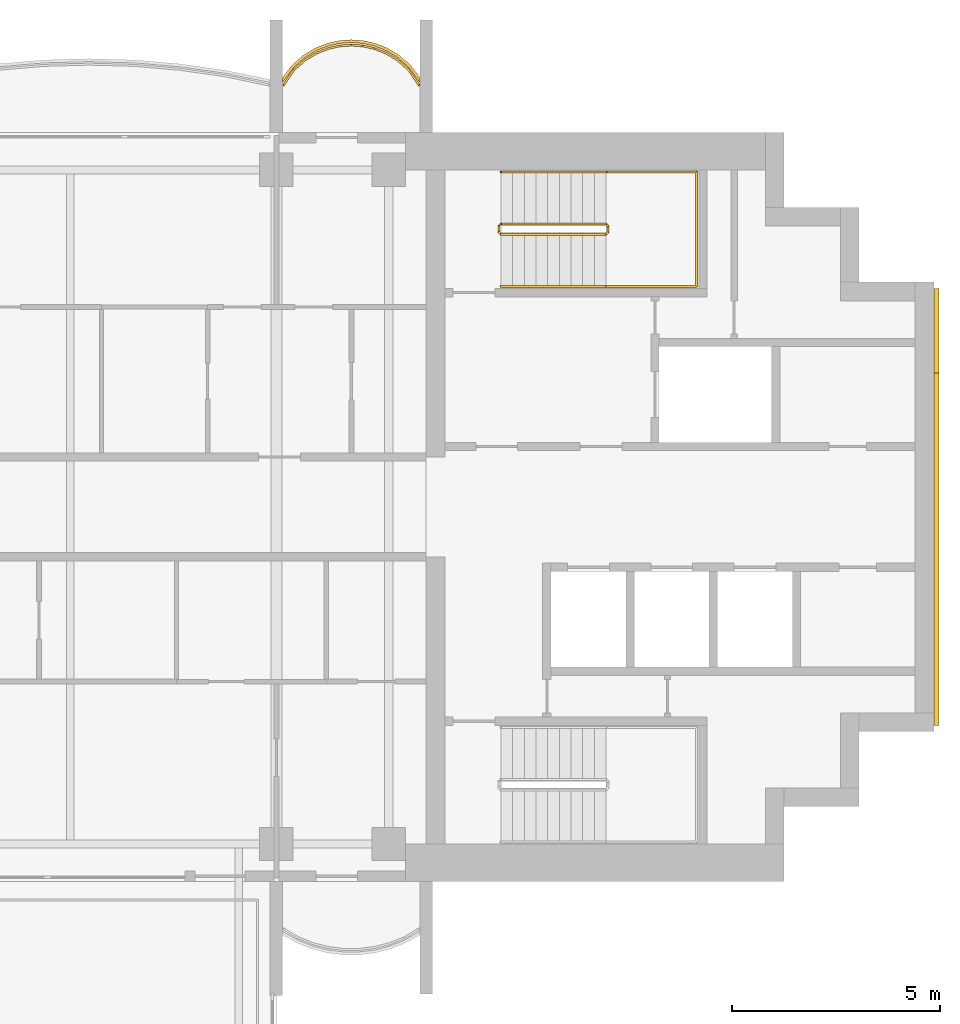
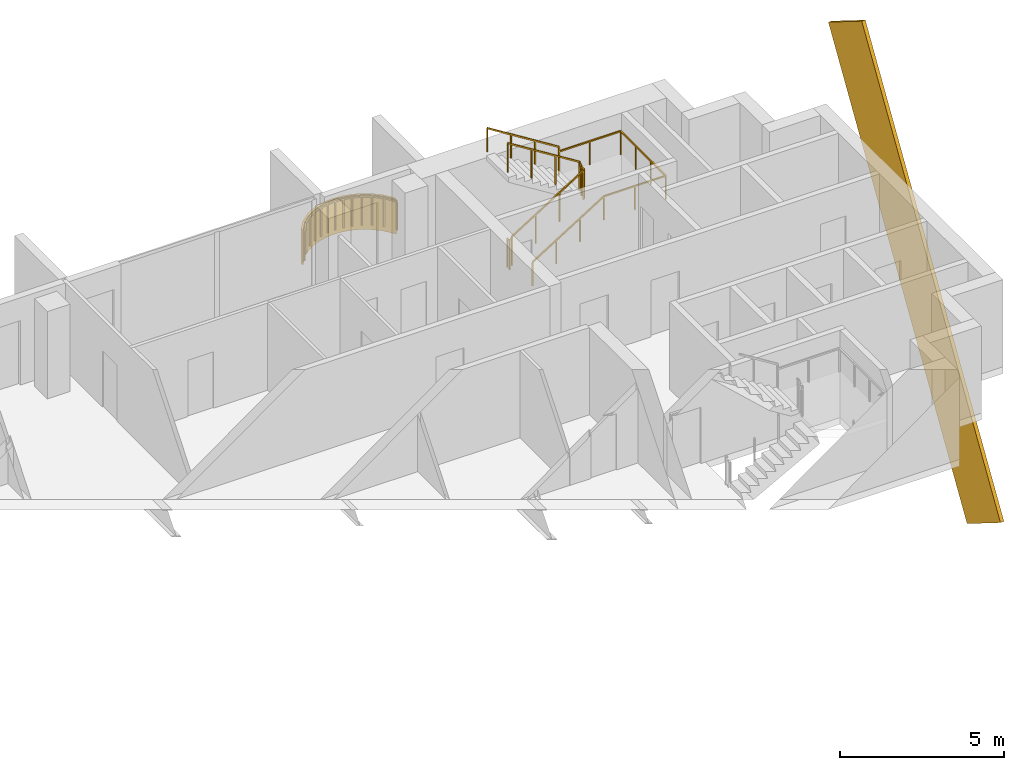
# One storey, part 16 of 16: 3 railings, 2 coverings.
"""IFC4 building model written with IfcOpenShell, lengths in metres."""

from ifc_helpers import new_model, si_unit, direction, frame, origin, origin_2d, place, context, subcontext, project, spatial, polyline, rectangle, outline, extrude, material, layer, layer_set, material_profile, profile_set, type_object, element, save


model = new_model("IFC4")

# Units and contexts
model_context = context("Model", 3, precision=1e-05, world=origin(), true_north=direction((0.0, 1.0)))
body_context = subcontext(model_context, "Body", "Model", "MODEL_VIEW")
ifc_project = project(units=[si_unit("LENGTHUNIT", "METRE"), si_unit("AREAUNIT", "SQUARE_METRE"), si_unit("VOLUMEUNIT", "CUBIC_METRE"), si_unit("PLANEANGLEUNIT", "RADIAN"), si_unit("MASSUNIT", "GRAM", prefix="KILO")], contexts=[model_context])

# Site, building, storey
site_placement = place(None, origin())
site = spatial("IfcSite", under=ifc_project, at=site_placement, CompositionType="ELEMENT")
building_placement = place(site_placement, origin())
building = spatial("IfcBuilding", under=site, at=building_placement, Name="Perihelion Cross Residences", CompositionType="ELEMENT")
storey_placement = place(building_placement, frame((0.0, 0.0, 264.0)))
storey = spatial("IfcBuildingStorey", under=building, at=storey_placement, Name="L67", CompositionType="ELEMENT", Elevation=264.0)

# Covering
ifc_material_1 = material(Name="Bronze anodised aluminium", Category="aluminium")
ifc_layer = layer(ifc_material_1, 0.070068359375)
ifc_layer_set = layer_set([ifc_layer], Name="Balcony fascia 1300")
covering_type_1 = type_object("IfcCoveringType", Name="Balcony fascia 1300", PredefinedType="CLADDING", material=ifc_layer_set)
covering_1_placement = place(storey_placement, frame((0.0, 0.0, -0.199951171875)))
element("IfcCovering", 1, at=covering_1_placement, inside=storey, type_object=covering_type_1, Name="Fascia BF1 L67 east side north bay 1", PredefinedType="CLADDING", context=body_context, shape_type="SweptSolid", body=[
    extrude(outline(polyline([(21.226318359375, 10.616455078125), (20.94091796875, 10.86328125), (20.655517578125, 11.031494140625), (20.370361328125, 11.142578125), (20.085205078125, 11.206298828125), (19.800048828125, 11.22705078125), (19.514892578125, 11.206298828125), (19.229736328125, 11.142578125), (18.9443359375, 11.031494140625), (18.6591796875, 10.86328125), (18.373779296875, 10.616455078125), (18.14990234375, 10.31689453125), (18.14990234375, 10.199951171875), (18.425048828125, 10.568603515625), (18.699951171875, 10.806396484375), (18.97509765625, 10.96875), (19.25, 11.07568359375), (19.52490234375, 11.136962890625), (19.800048828125, 11.156982421875), (20.074951171875, 11.136962890625), (20.35009765625, 11.07568359375), (20.625, 10.96875), (20.89990234375, 10.806396484375), (21.175048828125, 10.568603515625), (21.449951171875, 10.199951171875), (21.449951171875, 10.31689453125), (21.226318359375, 10.616455078125)])), origin(), (0.0, 0.0, 1.0), 1.300048828125),
])

# Railing
ifc_material_2 = material(Name="Bronze anodised aluminium", Category="aluminium")
railing_type_1 = type_object("IfcRailingType", Name="Balcony guard 1100", PredefinedType="GUARDRAIL", material=ifc_material_2)
railing_1_placement = place(storey_placement, frame((21.425048828125, 10.139892578125, 0.0)))
element("IfcRailing", 2, at=railing_1_placement, inside=storey, type_object=railing_type_1, Name="Guard GU1 L67 east side north bay 1 balcony", PredefinedType="GUARDRAIL", context=body_context, shape_type="SweptSolid", body=[
    extrude(rectangle(XDim=0.048095703125, YDim=0.048095703125, at=origin_2d()), frame((0.0, 0.0, 1.076171875), z_axis=(-0.561260132269, 0.827639452857, 0.0), x_axis=(-0.827639452857, -0.561260132269, 0.0)), (0.0, 0.0, 1.0), 0.4453125),
    extrude(rectangle(XDim=0.048095703125, YDim=0.048095703125, at=origin_2d()), frame((-0.25, 0.36865234375, 1.076171875), z_axis=(-0.756596535164, 0.653882009982, 0.0), x_axis=(-0.653882009982, -0.756596535164, 0.0)), (0.0, 0.0, 1.0), 0.36376953125),
    extrude(rectangle(XDim=0.048095703125, YDim=0.048095703125, at=origin_2d()), frame((-0.525146484375, 0.6064453125, 1.076171875), z_axis=(-0.861048292884, 0.508523192511, 0.0), x_axis=(-0.508523192511, -0.861048292884, 0.0)), (0.0, 0.0, 1.0), 0.3193359375),
    extrude(rectangle(XDim=0.048095703125, YDim=0.048095703125, at=origin_2d()), frame((-0.800048828125, 0.768798828125, 1.076171875), z_axis=(-0.931973602183, 0.362526143656, 0.0), x_axis=(-0.362526143656, -0.931973602183, 0.0)), (0.0, 0.0, 1.0), 0.294921875),
    extrude(rectangle(XDim=0.048095703125, YDim=0.048095703125, at=origin_2d()), frame((-1.074951171875, 0.875732421875, 1.076171875), z_axis=(-0.976085059389, 0.21738895289, 0.0), x_axis=(-0.21738895289, -0.976085059389, 0.0)), (0.0, 0.0, 1.0), 0.281982421875),
    extrude(rectangle(XDim=0.048095703125, YDim=0.048095703125, at=origin_2d()), frame((-1.35009765625, 0.93701171875, 1.076171875), z_axis=(-0.997358821833, 0.072631814734, 0.0), x_axis=(-0.072631814734, -0.997358821833, 0.0)), (0.0, 0.0, 1.0), 0.275634765625),
    extrude(rectangle(XDim=0.048095703125, YDim=0.048095703125, at=origin_2d()), frame((-1.625, 0.95703125, 1.076171875), z_axis=(-0.997363488337, -0.072567707226, 0.0), x_axis=(0.072567707226, -0.997363488337, 0.0)), (0.0, 0.0, 1.0), 0.27587890625),
    extrude(rectangle(XDim=0.048095703125, YDim=0.048095703125, at=origin_2d()), frame((-1.900146484375, 0.93701171875, 1.076171875), z_axis=(-0.976044077717, -0.217572880557, 0.0), x_axis=(0.217572880557, -0.976044077717, 0.0)), (0.0, 0.0, 1.0), 0.28173828125),
    extrude(rectangle(XDim=0.048095703125, YDim=0.048095703125, at=origin_2d()), frame((-2.175048828125, 0.875732421875, 1.076171875), z_axis=(-0.931973602183, -0.362526143656, 0.0), x_axis=(0.362526143656, -0.931973602183, 0.0)), (0.0, 0.0, 1.0), 0.294921875),
    extrude(rectangle(XDim=0.048095703125, YDim=0.048095703125, at=origin_2d()), frame((-2.449951171875, 0.768798828125, 1.076171875), z_axis=(-0.861245845072, -0.508188542123, 0.0), x_axis=(0.508188542123, -0.861245845072, 0.0)), (0.0, 0.0, 1.0), 0.319580078125),
    extrude(rectangle(XDim=0.048095703125, YDim=0.048095703125, at=origin_2d()), frame((-2.72509765625, 0.6064453125, 1.076171875), z_axis=(-0.756309278473, -0.654214242658, 0.0), x_axis=(0.654214242658, -0.756309278473, 0.0)), (0.0, 0.0, 1.0), 0.363525390625),
    extrude(rectangle(XDim=0.048095703125, YDim=0.048095703125, at=origin_2d()), frame((-3.0, 0.36865234375, 1.076171875), z_axis=(-0.561260132269, -0.827639452857, 0.0), x_axis=(0.827639452857, -0.561260132269, 0.0)), (0.0, 0.0, 1.0), 0.4453125),
    extrude(rectangle(XDim=0.0419921875, YDim=0.0419921875, at=origin_2d()), origin(), (0.0, 0.0, 1.0), 1.052001953125),
    extrude(rectangle(XDim=0.0419921875, YDim=0.0419921875, at=origin_2d()), frame((-0.25, 0.36865234375, 0.0)), (0.0, 0.0, 1.0), 1.052001953125),
    extrude(rectangle(XDim=0.0419921875, YDim=0.0419921875, at=origin_2d()), frame((-0.525146484375, 0.6064453125, 0.0)), (0.0, 0.0, 1.0), 1.052001953125),
    extrude(rectangle(XDim=0.0419921875, YDim=0.0419921875, at=origin_2d()), frame((-0.800048828125, 0.768798828125, 0.0)), (0.0, 0.0, 1.0), 1.052001953125),
    extrude(rectangle(XDim=0.0419921875, YDim=0.0419921875, at=origin_2d()), frame((-1.074951171875, 0.875732421875, 0.0)), (0.0, 0.0, 1.0), 1.052001953125),
    extrude(rectangle(XDim=0.0419921875, YDim=0.0419921875, at=origin_2d()), frame((-1.35009765625, 0.93701171875, 0.0)), (0.0, 0.0, 1.0), 1.052001953125),
    extrude(rectangle(XDim=0.0419921875, YDim=0.0419921875, at=origin_2d()), frame((-1.625, 0.95703125, 0.0)), (0.0, 0.0, 1.0), 1.052001953125),
    extrude(rectangle(XDim=0.0419921875, YDim=0.0419921875, at=origin_2d()), frame((-1.900146484375, 0.93701171875, 0.0)), (0.0, 0.0, 1.0), 1.052001953125),
    extrude(rectangle(XDim=0.0419921875, YDim=0.0419921875, at=origin_2d()), frame((-2.175048828125, 0.875732421875, 0.0)), (0.0, 0.0, 1.0), 1.052001953125),
    extrude(rectangle(XDim=0.0419921875, YDim=0.0419921875, at=origin_2d()), frame((-2.449951171875, 0.768798828125, 0.0)), (0.0, 0.0, 1.0), 1.052001953125),
    extrude(rectangle(XDim=0.0419921875, YDim=0.0419921875, at=origin_2d()), frame((-2.72509765625, 0.6064453125, 0.0)), (0.0, 0.0, 1.0), 1.052001953125),
    extrude(rectangle(XDim=0.0419921875, YDim=0.0419921875, at=origin_2d()), frame((-3.0, 0.36865234375, 0.0)), (0.0, 0.0, 1.0), 1.052001953125),
    extrude(rectangle(XDim=0.0419921875, YDim=0.0419921875, at=origin_2d()), frame((-3.25, 0.0, 0.0)), (0.0, 0.0, 1.0), 1.052001953125),
])

# Covering
ifc_material_3 = material(Name="Bronze anodised aluminium", Category="aluminium")
ifc_material_profile = material_profile(ifc_material_3, rectangle(XDim=0.125, YDim=2.39990234375, at=origin_2d()), Name="Bronze cladding band 2400")
ifc_profile_set = profile_set([ifc_material_profile], Name="Bronze anodised aluminium")
covering_type_2 = type_object("IfcCoveringType", Name="Bronze cladding band 2400", PredefinedType="CLADDING", material=ifc_profile_set)
covering_2_placement = place(storey_placement, frame((33.862548828125, -4.232421875, -6.5302734375), z_axis=(0.0, 0.529924750763, 0.848044667767), x_axis=(-1.0, 0.0, 0.0)))
element("IfcCovering", 3, at=covering_2_placement, inside=storey, type_object=covering_type_2, Name="Core cladding band, east core", PredefinedType="CLADDING", context=body_context, shape_type="SweptSolid", body=[
    extrude(rectangle(XDim=0.125, YDim=2.39990234375, at=origin_2d()), origin(), (0.0, 0.0, 1.0), 15.9736328125),
])

# Railings
ifc_material_4 = material(Name="Stainless steel", Category="steel")
railing_type_2 = type_object("IfcRailingType", Name="Stair guard 1100", PredefinedType="GUARDRAIL", material=ifc_material_4)
railing_2_placement = place(storey_placement, frame((23.35009765625, 6.75, 0.0)))
element("IfcRailing", 4, at=railing_2_placement, inside=storey, type_object=railing_type_2, Name="L67 ST-E1 stair guard 1", PredefinedType="GUARDRAIL", context=body_context, shape_type="SweptSolid", body=[
    extrude(rectangle(XDim=0.048095703125, YDim=0.048095703125, at=origin_2d()), frame((0.0, 0.0, 1.076171875), z_axis=(0.0, -1.0, 0.0), x_axis=(1.0, 0.0, 0.0)), (0.0, 0.0, 1.0), 0.14990234375),
    extrude(rectangle(XDim=0.048095703125, YDim=0.048095703125, at=origin_2d()), frame((0.0, -0.14990234375, 1.076171875), z_axis=(0.263862480399, -0.265155923931, 0.927399011991), x_axis=(0.708833529934, 0.705375805398, 0.0)), (0.0, 0.0, 1.0), 0.188720703125),
    extrude(rectangle(XDim=0.048095703125, YDim=0.048095703125, at=origin_2d()), frame((0.0498046875, -0.199951171875, 1.2509765625), z_axis=(0.848007534815, 0.0, 0.529984170421), x_axis=(0.0, 1.0, 0.0)), (0.0, 0.0, 1.0), 2.9716796875),
    extrude(rectangle(XDim=0.048095703125, YDim=0.048095703125, at=origin_2d()), frame((2.56982421875, -0.199951171875, 2.826171875), z_axis=(0.707106781187, 0.707106781187, 0.0), x_axis=(-0.707106781187, 0.707106781187, 0.0)), (0.0, 0.0, 1.0), 0.07080078125),
    extrude(rectangle(XDim=0.048095703125, YDim=0.048095703125, at=origin_2d()), frame((2.619873046875, -0.14990234375, 2.826171875), z_axis=(0.0, 1.0, 0.0), x_axis=(-1.0, 0.0, 0.0)), (0.0, 0.0, 1.0), 0.14990234375),
    extrude(rectangle(XDim=0.048095703125, YDim=0.048095703125, at=origin_2d()), frame((2.619873046875, 0.0, 2.826171875), z_axis=(-0.265065253269, 0.265065253269, 0.927081885822), x_axis=(-0.707106781187, -0.707106781187, 0.0)), (0.0, 0.0, 1.0), 0.188720703125),
    extrude(rectangle(XDim=0.048095703125, YDim=0.048095703125, at=origin_2d()), frame((2.56982421875, 0.050048828125, 3.0009765625), z_axis=(-0.848007534815, 0.0, 0.529984170421), x_axis=(0.0, -1.0, 0.0)), (0.0, 0.0, 1.0), 2.9716796875),
    extrude(rectangle(XDim=0.0419921875, YDim=0.0419921875, at=origin_2d()), origin(), (0.0, 0.0, 1.0), 1.052001953125),
    extrude(rectangle(XDim=0.0419921875, YDim=0.0419921875, at=origin_2d()), frame((0.0, -0.14990234375, 0.0)), (0.0, 0.0, 1.0), 1.052001953125),
    extrude(rectangle(XDim=0.0419921875, YDim=0.0419921875, at=origin_2d()), frame((0.0498046875, -0.199951171875, 0.175048828125)), (0.0, 0.0, 1.0), 1.052001953125),
    extrude(rectangle(XDim=0.0419921875, YDim=0.0419921875, at=origin_2d()), frame((0.889892578125, -0.199951171875, 0.699951171875)), (0.0, 0.0, 1.0), 1.052001953125),
    extrude(rectangle(XDim=0.0419921875, YDim=0.0419921875, at=origin_2d()), frame((1.729736328125, -0.199951171875, 1.22509765625)), (0.0, 0.0, 1.0), 1.052001953125),
    extrude(rectangle(XDim=0.0419921875, YDim=0.0419921875, at=origin_2d()), frame((2.56982421875, -0.199951171875, 1.75)), (0.0, 0.0, 1.0), 1.052001953125),
    extrude(rectangle(XDim=0.0419921875, YDim=0.0419921875, at=origin_2d()), frame((2.619873046875, -0.14990234375, 1.75)), (0.0, 0.0, 1.0), 1.052001953125),
    extrude(rectangle(XDim=0.0419921875, YDim=0.0419921875, at=origin_2d()), frame((2.619873046875, 0.0, 1.75)), (0.0, 0.0, 1.0), 1.052001953125),
    extrude(rectangle(XDim=0.0419921875, YDim=0.0419921875, at=origin_2d()), frame((2.56982421875, 0.050048828125, 1.925048828125)), (0.0, 0.0, 1.0), 1.052001953125),
    extrude(rectangle(XDim=0.0419921875, YDim=0.0419921875, at=origin_2d()), frame((1.729736328125, 0.050048828125, 2.449951171875)), (0.0, 0.0, 1.0), 1.052001953125),
    extrude(rectangle(XDim=0.0419921875, YDim=0.0419921875, at=origin_2d()), frame((0.889892578125, 0.050048828125, 2.97509765625)), (0.0, 0.0, 1.0), 1.052001953125),
    extrude(rectangle(XDim=0.0419921875, YDim=0.0419921875, at=origin_2d()), frame((0.0498046875, 0.050048828125, 3.5)), (0.0, 0.0, 1.0), 1.052001953125),
])
ifc_material_5 = material(Name="Stainless steel", Category="steel")
railing_type_3 = type_object("IfcRailingType", Name="Stair handrail 900", PredefinedType="HANDRAIL", material=ifc_material_5)
railing_3_placement = place(storey_placement, frame((23.39990234375, 5.300048828125, 0.175048828125)))
element("IfcRailing", 5, at=railing_3_placement, inside=storey, type_object=railing_type_3, Name="L67 ST-E1 stair handrail 1", PredefinedType="HANDRAIL", context=body_context, shape_type="SweptSolid", body=[
    extrude(rectangle(XDim=0.048095703125, YDim=0.048095703125, at=origin_2d()), frame((0.0, 0.0, 0.8759765625), z_axis=(0.848007534815, 0.0, 0.529984170421), x_axis=(0.0, 1.0, 0.0)), (0.0, 0.0, 1.0), 2.9716796875),
    extrude(rectangle(XDim=0.048095703125, YDim=0.048095703125, at=origin_2d()), frame((2.52001953125, 0.0, 2.45068359375), z_axis=(1.0, 0.0, 0.0), x_axis=(0.0, 1.0, 0.0)), (0.0, 0.0, 1.0), 2.18017578125),
    extrude(rectangle(XDim=0.048095703125, YDim=0.048095703125, at=origin_2d()), frame((4.7001953125, 0.0, 2.45068359375), z_axis=(0.0, 1.0, 0.0), x_axis=(-1.0, 0.0, 0.0)), (0.0, 0.0, 1.0), 2.75),
    extrude(rectangle(XDim=0.048095703125, YDim=0.048095703125, at=origin_2d()), frame((4.7001953125, 2.75, 2.45068359375), z_axis=(-1.0, 0.0, 0.0), x_axis=(0.0, -1.0, 0.0)), (0.0, 0.0, 1.0), 2.18017578125),
    extrude(rectangle(XDim=0.048095703125, YDim=0.048095703125, at=origin_2d()), frame((2.52001953125, 2.75, 2.45068359375), z_axis=(0.0, 0.0, 1.0), x_axis=(1.0, 0.0, 0.0)), (0.0, 0.0, 1.0), 0.175048828125),
    extrude(rectangle(XDim=0.048095703125, YDim=0.048095703125, at=origin_2d()), frame((2.52001953125, 2.75, 2.6259765625), z_axis=(-0.848007534815, 0.0, 0.529984170421), x_axis=(0.0, -1.0, 0.0)), (0.0, 0.0, 1.0), 2.9716796875),
    extrude(rectangle(XDim=0.0419921875, YDim=0.0419921875, at=origin_2d()), origin(), (0.0, 0.0, 1.0), 0.851806640625),
    extrude(rectangle(XDim=0.0419921875, YDim=0.0419921875, at=origin_2d()), frame((0.840087890625, 0.0, 0.52490234375)), (0.0, 0.0, 1.0), 0.851806640625),
    extrude(rectangle(XDim=0.0419921875, YDim=0.0419921875, at=origin_2d()), frame((1.679931640625, 0.0, 1.050048828125)), (0.0, 0.0, 1.0), 0.851806640625),
    extrude(rectangle(XDim=0.0419921875, YDim=0.0419921875, at=origin_2d()), frame((2.52001953125, 0.0, 1.574951171875)), (0.0, 0.0, 1.0), 0.851806640625),
    extrude(rectangle(XDim=0.0419921875, YDim=0.0419921875, at=origin_2d()), frame((3.610107421875, 0.0, 1.574951171875)), (0.0, 0.0, 1.0), 0.851806640625),
    extrude(rectangle(XDim=0.0419921875, YDim=0.0419921875, at=origin_2d()), frame((4.7001953125, 0.0, 1.574951171875)), (0.0, 0.0, 1.0), 0.851806640625),
    extrude(rectangle(XDim=0.0419921875, YDim=0.0419921875, at=origin_2d()), frame((4.7001953125, 0.916748046875, 1.574951171875)), (0.0, 0.0, 1.0), 0.851806640625),
    extrude(rectangle(XDim=0.0419921875, YDim=0.0419921875, at=origin_2d()), frame((4.7001953125, 1.833251953125, 1.574951171875)), (0.0, 0.0, 1.0), 0.851806640625),
    extrude(rectangle(XDim=0.0419921875, YDim=0.0419921875, at=origin_2d()), frame((4.7001953125, 2.75, 1.574951171875)), (0.0, 0.0, 1.0), 0.851806640625),
    extrude(rectangle(XDim=0.0419921875, YDim=0.0419921875, at=origin_2d()), frame((3.610107421875, 2.75, 1.574951171875)), (0.0, 0.0, 1.0), 0.851806640625),
    extrude(rectangle(XDim=0.0419921875, YDim=0.0419921875, at=origin_2d()), frame((2.52001953125, 2.75, 1.574951171875)), (0.0, 0.0, 1.0), 0.851806640625),
    extrude(rectangle(XDim=0.0419921875, YDim=0.0419921875, at=origin_2d()), frame((2.52001953125, 2.75, 1.75)), (0.0, 0.0, 1.0), 0.851806640625),
    extrude(rectangle(XDim=0.0419921875, YDim=0.0419921875, at=origin_2d()), frame((1.679931640625, 2.75, 2.27490234375)), (0.0, 0.0, 1.0), 0.851806640625),
    extrude(rectangle(XDim=0.0419921875, YDim=0.0419921875, at=origin_2d()), frame((0.840087890625, 2.75, 2.800048828125)), (0.0, 0.0, 1.0), 0.851806640625),
    extrude(rectangle(XDim=0.0419921875, YDim=0.0419921875, at=origin_2d()), frame((0.0, 2.75, 3.324951171875)), (0.0, 0.0, 1.0), 0.851806640625),
])

save(model, "model.ifc")
